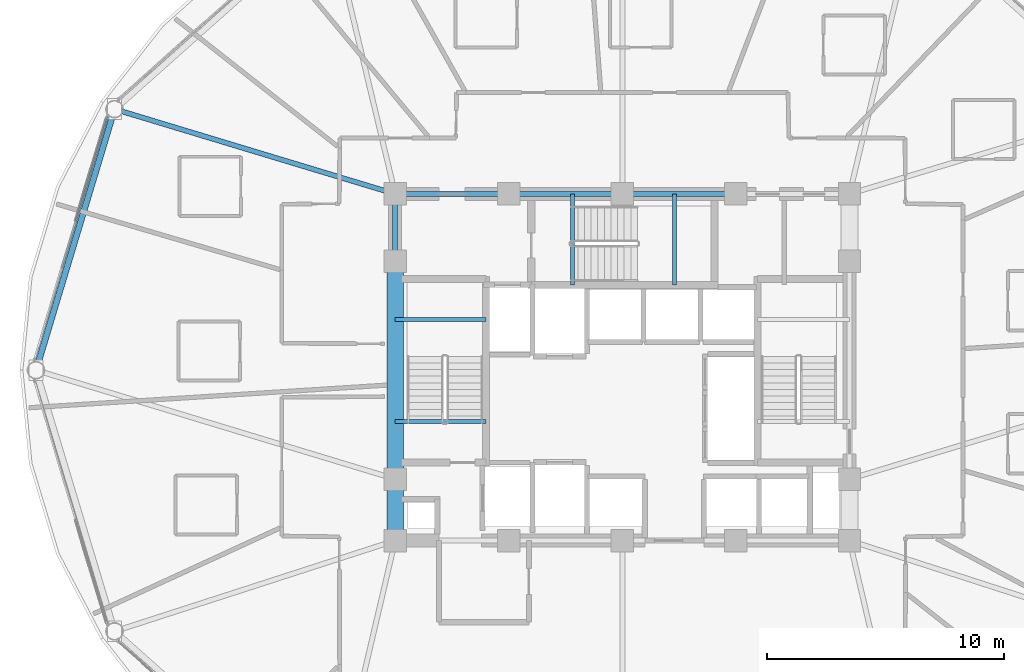
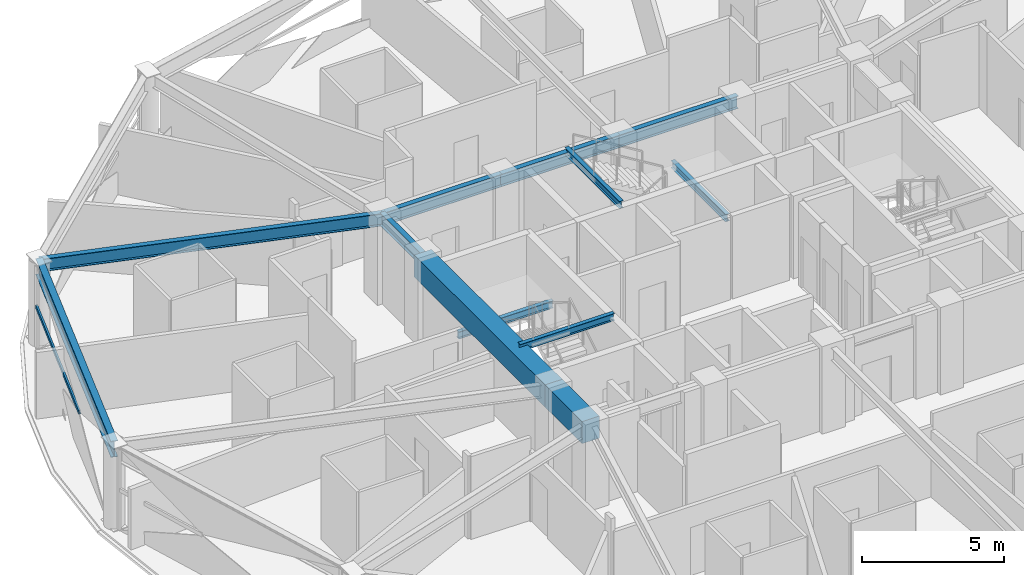
# One storey, part 8 of 30: 12 beams, 1 member, 1 element without a shape of its own.
"""IFC4 building model written with IfcOpenShell, lengths in metres."""

from ifc_helpers import new_model, si_unit, direction, frame, origin, origin_2d, place, context, subcontext, project, spatial, rectangle, hollow_rectangle, i_section, extrude, material, layer, layer_set, material_profile, profile_set, type_object, element, aggregate, save


model = new_model("IFC4")

# Units and contexts
model_context = context("Model", 3, precision=1e-05, world=origin(), true_north=direction((0.0, 1.0)))
body_context = subcontext(model_context, "Body", "Model", "MODEL_VIEW")
ifc_project = project(units=[si_unit("LENGTHUNIT", "METRE"), si_unit("AREAUNIT", "SQUARE_METRE"), si_unit("VOLUMEUNIT", "CUBIC_METRE"), si_unit("PLANEANGLEUNIT", "RADIAN"), si_unit("MASSUNIT", "GRAM", prefix="KILO")], contexts=[model_context])

# Site, building, storey
site_placement = place(None, origin())
site = spatial("IfcSite", under=ifc_project, at=site_placement, CompositionType="ELEMENT")
building_placement = place(site_placement, origin())
building = spatial("IfcBuilding", under=site, at=building_placement, Name="Vantalir Tower", CompositionType="ELEMENT")
storey_placement = place(building_placement, frame((0.0, 0.0, 153.449951171875)))
storey = spatial("IfcBuildingStorey", under=building, at=storey_placement, Name="L38", CompositionType="ELEMENT", Elevation=153.449951171875)

# Beams
ifc_material_1 = material(Name="Concrete C60/75", Category="concrete")
ifc_material_profile_1 = material_profile(ifc_material_1, rectangle(XDim=0.699951171875, YDim=0.949951171875, at=origin_2d()), Name="Concrete C60/75")
ifc_profile_set_1 = profile_set([ifc_material_profile_1], Name="Concrete C60/75")
beam_type_1 = type_object("IfcBeamType", Name="BM-CB-700x950", PredefinedType="USERDEFINED", material=ifc_profile_set_1)
beam_1_placement = place(storey_placement, frame((21.89990234375, 29.60009765625, 3.094970703125), z_axis=(0.0, -1.0, 0.0), x_axis=(1.0, 0.0, 0.0)))
element("IfcBeam", 1, at=beam_1_placement, inside=storey, type_object=beam_type_1, Name="L38 Core Coupling Girder 13", ObjectType="GIRDER", PredefinedType="USERDEFINED", context=body_context, shape_type="SweptSolid", body=[
    extrude(rectangle(XDim=0.699951171875, YDim=0.949951171875, at=origin_2d()), origin(), (0.0, 0.0, 1.0), 9.2001953125),
])
beam_2_placement = place(storey_placement, frame((21.89990234375, 20.39990234375, 3.094970703125), z_axis=(0.0, -1.0, 0.0), x_axis=(1.0, 0.0, 0.0)))
element("IfcBeam", 2, at=beam_2_placement, inside=storey, type_object=beam_type_1, Name="L38 Core Coupling Girder 14", ObjectType="GIRDER", PredefinedType="USERDEFINED", context=body_context, shape_type="SweptSolid", body=[
    extrude(rectangle(XDim=0.699951171875, YDim=0.949951171875, at=origin_2d()), origin(), (0.0, 0.0, 1.0), 2.599853515625),
])
ifc_material_2 = material(Name="Steel S355", Category="steel")
ifc_material_profile_2 = material_profile(ifc_material_2, i_section(OverallWidth=0.166015625, OverallDepth=0.306884765625, WebThickness=0.006591796875, FlangeThickness=0.01171875, at=origin_2d()), Name="Steel S355")
ifc_profile_set_2 = profile_set([ifc_material_profile_2], Name="Steel S355")
beam_type_2 = type_object("IfcBeamType", Name="BM-JS-305x165", PredefinedType="JOIST", material=ifc_profile_set_2)
for number, where, z_axis, x_axis, name in (
    (3, (21.89990234375, 22.8349609375, 3.595947265625), (1.0, 0.0, 0.0), (0.0, 1.0, 0.0), "L39 Stair ST1 Well Nosing Trimmer Beam"),
    (4, (21.89990234375, 27.14501953125, 1.52197265625), (1.0, 0.0, 0.0), (0.0, 1.0, 0.0), "L38 Stair ST1 Half-Landing Support Beam"),
):
    element("IfcBeam", number, at=place(storey_placement, frame(where, z_axis=z_axis, x_axis=x_axis)), inside=storey, type_object=beam_type_2, Name=name, PredefinedType="JOIST", context=body_context, shape_type="SweptSolid", body=[
        extrude(i_section(OverallWidth=0.166015625, OverallDepth=0.306884765625, WebThickness=0.006591796875, FlangeThickness=0.01171875, at=origin_2d()), origin(), (0.0, 0.0, 1.0), 3.840087890625),
    ])
for number, where, z_axis, x_axis, name in (
    (5, (29.385009765625, 28.60009765625, 3.595947265625), (0.0, 1.0, 0.0), (-1.0, 0.0, 0.0), "L39 Stair ST3 Well Nosing Trimmer Beam"),
    (6, (33.695068359375, 28.60009765625, 1.52197265625), (0.0, 1.0, 0.0), (-1.0, 0.0, 0.0), "L38 Stair ST3 Half-Landing Support Beam"),
):
    element("IfcBeam", number, at=place(storey_placement, frame(where, z_axis=z_axis, x_axis=x_axis)), inside=storey, type_object=beam_type_2, Name=name, PredefinedType="JOIST", context=body_context, shape_type="SweptSolid", body=[
        extrude(i_section(OverallWidth=0.166015625, OverallDepth=0.306884765625, WebThickness=0.006591796875, FlangeThickness=0.01171875, at=origin_2d()), origin(), (0.0, 0.0, 1.0), 3.849853515625),
    ])
ifc_material_profile_3 = material_profile(ifc_material_2, i_section(OverallWidth=0.2109375, OverallDepth=0.5390625, WebThickness=0.01171875, FlangeThickness=0.018798828125, at=origin_2d()), Name="Steel S355")
ifc_profile_set_3 = profile_set([ifc_material_profile_3], Name="Steel S355")
beam_type_3 = type_object("IfcBeamType", Name="BM-RB-533x210", PredefinedType="BEAM", material=ifc_profile_set_3)
for number, where, z_axis, x_axis, name in (
    (7, (36.300048828125, 32.449951171875, 3.301025390625), (-1.0, 0.0, 0.0), (0.0, -1.0, 0.0), "L38 Core Coupling Girder 09"),
    (8, (31.5, 32.449951171875, 3.301025390625), (-1.0, 0.0, 0.0), (0.0, -1.0, 0.0), "L38 Core Coupling Girder 10"),
    (9, (26.699951171875, 32.449951171875, 3.301025390625), (-1.0, 0.0, 0.0), (0.0, -1.0, 0.0), "L38 Core Coupling Girder 11"),
):
    element("IfcBeam", number, at=place(storey_placement, frame(where, z_axis=z_axis, x_axis=x_axis)), inside=storey, type_object=beam_type_3, Name=name, PredefinedType="BEAM", context=body_context, shape_type="SweptSolid", body=[
        extrude(i_section(OverallWidth=0.2109375, OverallDepth=0.5390625, WebThickness=0.01171875, FlangeThickness=0.018798828125, at=origin_2d()), origin(), (0.0, 0.0, 1.0), 4.800048828125),
    ])
beam_3_placement = place(storey_placement, frame((21.89990234375, 32.449951171875, 3.301025390625), z_axis=(0.0, -1.0, 0.0), x_axis=(1.0, 0.0, 0.0)))
element("IfcBeam", 10, at=beam_3_placement, inside=storey, type_object=beam_type_3, Name="L38 Core Coupling Girder 12", PredefinedType="BEAM", context=body_context, shape_type="SweptSolid", body=[
    extrude(i_section(OverallWidth=0.2109375, OverallDepth=0.5390625, WebThickness=0.01171875, FlangeThickness=0.018798828125, at=origin_2d()), origin(), (0.0, 0.0, 1.0), 2.849853515625),
])
beam_4_placement = place(storey_placement, frame((10.037109375, 36.033935546875, 3.301025390625), z_axis=(0.957265983096, -0.289208986043, 0.0), x_axis=(0.289208986043, 0.957265983096, 0.0)))
element("IfcBeam", 11, at=beam_4_placement, inside=storey, type_object=beam_type_3, Name="L38 Radial Floor Beam 06", PredefinedType="BEAM", context=body_context, shape_type="SweptSolid", body=[
    extrude(i_section(OverallWidth=0.2109375, OverallDepth=0.5390625, WebThickness=0.01171875, FlangeThickness=0.018798828125, at=origin_2d()), origin(), (0.0, 0.0, 1.0), 12.392333984375),
])
ifc_material_3 = material(Name="Steel S460", Category="steel")
ifc_material_profile_4 = material_profile(ifc_material_3, i_section(OverallWidth=0.256103515625, OverallDepth=0.693115234375, WebThickness=0.014404296875, FlangeThickness=0.023681640625, at=origin_2d()), Name="Steel S460")
ifc_profile_set_4 = profile_set([ifc_material_profile_4], Name="Steel S460")
beam_type_4 = type_object("IfcBeamType", Name="BM-RG-686x254", PredefinedType="USERDEFINED", material=ifc_profile_set_4)
beam_5_placement = place(storey_placement, frame((10.037109375, 36.033935546875, 3.22412109375), z_axis=(-0.288135047515, -0.957589783986, 0.0), x_axis=(0.957589783986, -0.288135047515, 0.0)))
element("IfcBeam", 12, at=beam_5_placement, inside=storey, type_object=beam_type_4, Name="L38 Circumferential Ring Girder 06", ObjectType="GIRDER", PredefinedType="USERDEFINED", context=body_context, shape_type="SweptSolid", body=[
    extrude(i_section(OverallWidth=0.256103515625, OverallDepth=0.693115234375, WebThickness=0.014404296875, FlangeThickness=0.023681640625, at=origin_2d()), origin(), (0.0, 0.0, 1.0), 11.522705078125),
])

# Curtain wall, member
ifc_material_4 = material(Name="Champagne-silver PVDF aluminium and double-silver Low-E glass", Category="aluminium")
ifc_layer = layer(ifc_material_4, 0.199951171875)
ifc_layer_set = layer_set([ifc_layer], Name="Champagne-silver PVDF aluminium and double-silver Low-E glass")
curtain_wall_type = type_object("IfcCurtainWallType", Name="CW-DIAMOND-Z2", PredefinedType="USERDEFINED", material=ifc_layer_set)
curtain_wall_placement = place(storey_placement, origin())
curtain_wall = element("IfcCurtainWall", 13, at=curtain_wall_placement, inside=storey, type_object=curtain_wall_type, Name="L38 Quilted Pyramid-Diamond Curtain Wall S06", ObjectType="UNITISED CURTAIN WALL", PredefinedType="USERDEFINED")
ifc_material_5 = material(Name="Champagne-silver PVDF aluminium 6063-T6", Category="aluminium")
ifc_material_profile_5 = material_profile(ifc_material_5, hollow_rectangle(XDim=0.074951171875, YDim=0.159912109375, WallThickness=0.00390625, at=origin_2d()), Name="Champagne-silver PVDF aluminium 6063-T6")
ifc_profile_set_5 = profile_set([ifc_material_profile_5], Name="Champagne-silver PVDF aluminium 6063-T6")
member_type = type_object("IfcMemberType", Name="CWT-160x75", PredefinedType="USERDEFINED", material=ifc_profile_set_5)
member_placement = place(storey_placement, frame((9.74609375, 35.7080078125, 1.78515625), z_axis=(-0.291332200771, -0.95662194664, 0.0), x_axis=(0.95662194664, -0.291332200771, 0.0)))
member = element("IfcMember", 14, at=member_placement, type_object=member_type, Name="CW-L38-S06 Pyramid Fold Ridge Transom", ObjectType="TRANSOM", PredefinedType="USERDEFINED", context=body_context, shape_type="SweptSolid", body=[
    extrude(hollow_rectangle(XDim=0.074951171875, YDim=0.159912109375, WallThickness=0.00390625, at=origin_2d()), origin(), (0.0, 0.0, 1.0), 6.6630859375),
])
aggregate(curtain_wall, [member])

save(model, "model.ifc")
